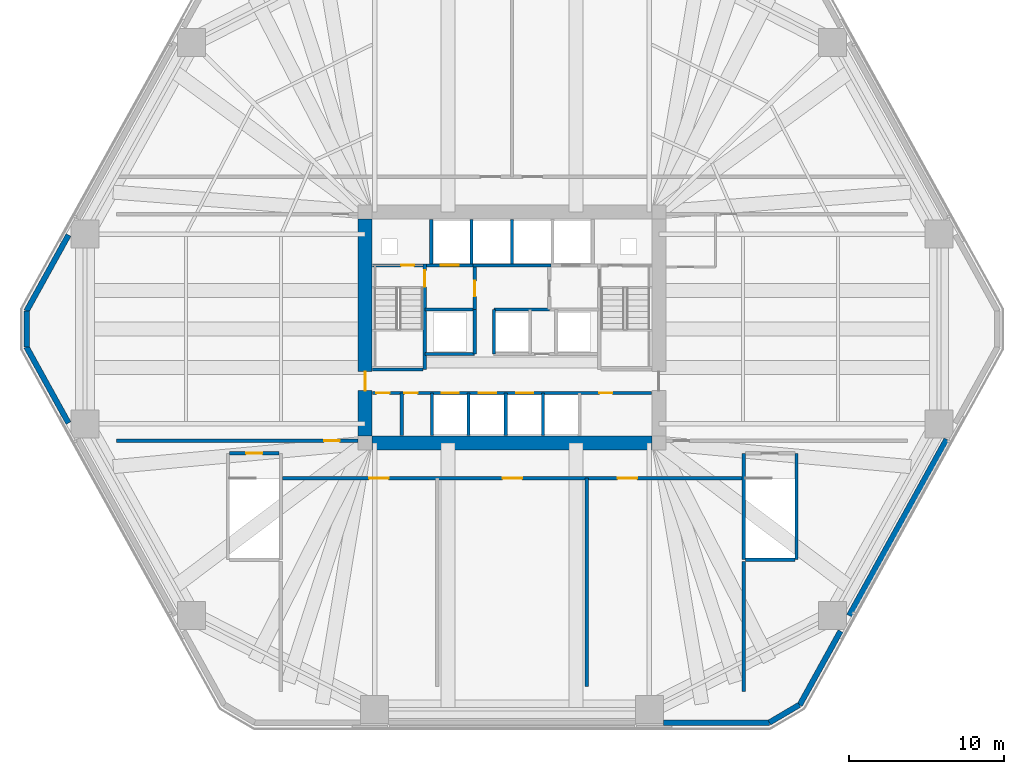
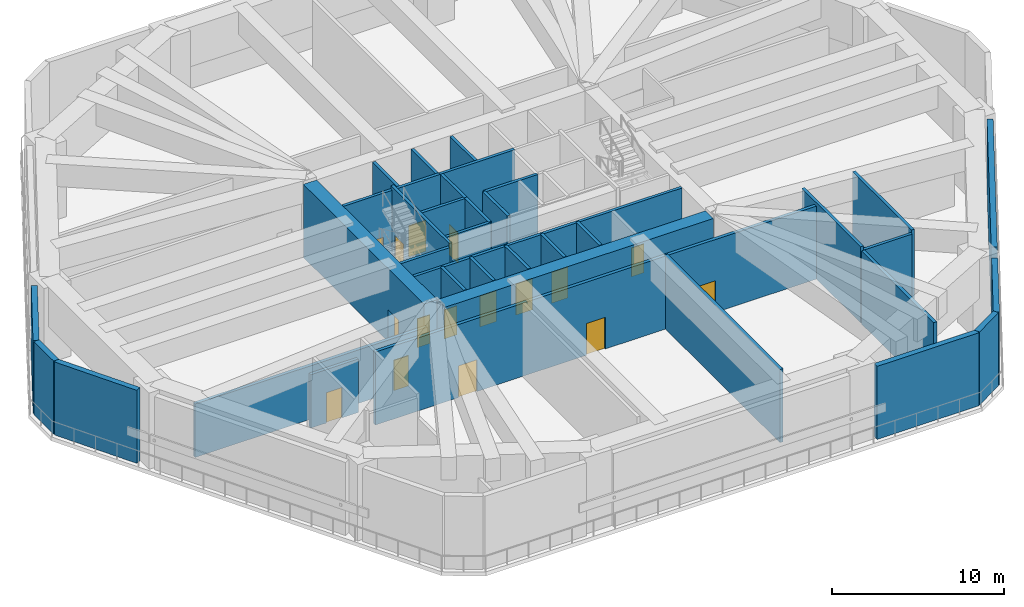
# One storey, part 3 of 12: 37 walls, 16 doors, 16 openings.
"""IFC4 building model written with IfcOpenShell, lengths in metres."""

from ifc_helpers import new_model, si_unit, direction, frame, frame_2d, origin, place, context, subcontext, project, spatial, rectangle, extrude, material, layer, layer_set, type_object, element, fill, save


model = new_model("IFC4")

# Units and contexts
model_context = context("Model", 3, precision=1e-05, world=origin(), true_north=direction((0.0, 1.0)))
body_context = subcontext(model_context, "Body", "Model", "MODEL_VIEW")
ifc_project = project(units=[si_unit("LENGTHUNIT", "METRE"), si_unit("AREAUNIT", "SQUARE_METRE"), si_unit("VOLUMEUNIT", "CUBIC_METRE"), si_unit("PLANEANGLEUNIT", "RADIAN"), si_unit("MASSUNIT", "GRAM", prefix="KILO")], contexts=[model_context])

# Site, building, storey
site_placement = place(None, origin())
site = spatial("IfcSite", under=ifc_project, at=site_placement, CompositionType="ELEMENT")
building_placement = place(site_placement, origin())
building = spatial("IfcBuilding", under=site, at=building_placement, Name="Cinnabar Lancet Tower", CompositionType="ELEMENT")
storey_placement = place(building_placement, frame((0.0, 0.0, 19.5)))
storey = spatial("IfcBuildingStorey", under=building, at=storey_placement, Name="L04", CompositionType="ELEMENT", Elevation=19.5)

# Wall, opening, door
ifc_material_1 = material(Name="Acoustic masonry plant room wall", Category="masonry")
ifc_layer_1 = layer(ifc_material_1, 0.219970703125)
ifc_layer_set_1 = layer_set([ifc_layer_1], Name="Acoustic masonry plant room wall")
wall_type_1 = type_object("IfcWallType", Name="ARC-WL-PLANT-220", PredefinedType="PARTITIONING", material=ifc_layer_set_1)
wall_1_placement = place(storey_placement, frame((6.925048828125, 18.60009765625, 0.0), z_axis=(0.0, 0.0, 1.0), x_axis=(1.0, 0.0, 0.0)))
wall_1 = element("IfcWall", 1, at=wall_1_placement, inside=storey, type_object=wall_type_1, Name="PW-L04-RFWS", PredefinedType="PARTITIONING", context=body_context, shape_type="SweptSolid", body=[
    extrude(rectangle(XDim=15.574951171875, YDim=0.219970703125, at=frame_2d((7.78759765625, 0.0))), origin(), (0.0, 0.0, 1.0), 3.7900390625),
])
opening_1_placement = place(wall_1_placement, frame((13.375, 0.0, 0.0)))
opening_1 = element("IfcOpeningElement", 2, at=opening_1_placement, cuts=wall_1, Name="Opening FD-01", PredefinedType="OPENING", context=body_context, shape_type="SweptSolid", body=[
    extrude(rectangle(XDim=1.0, YDim=2.14990234375, at=frame_2d((0.5, 1.074951171875))), frame((0.0, 0.119873046875, 0.0), z_axis=(0.0, -1.0, 0.0), x_axis=(1.0, 0.0, 0.0)), (0.0, 0.0, 1.0), 0.239990234375),
])
ifc_material_2 = material(Name="Fire-rated timber-core lobby door", Category="wood")
door_type_1 = type_object("IfcDoorType", Name="ARC-DR-FFAL", OperationType="NOTDEFINED", PredefinedType="DOOR", material=ifc_material_2)
door_1_placement = place(opening_1_placement, origin())
door_1 = element("IfcDoor", 3, at=door_1_placement, inside=storey, type_object=door_type_1, Name="L04 Plant Corridor Fire Door RWS", OperationType="SINGLE_SWING_LEFT", OverallHeight=2.14990234375, OverallWidth=1.0, PredefinedType="DOOR", context=body_context, shape_type="SweptSolid", body=[
    extrude(rectangle(XDim=1.0, YDim=2.14990234375, at=frame_2d((0.5, 1.074951171875))), frame((0.0, 0.02490234375, 0.0), z_axis=(0.0, -1.0, 0.0), x_axis=(1.0, 0.0, 0.0)), (0.0, 0.0, 1.0), 0.050048828125),
])
fill(opening_1, door_1)

# Wall, openings, doors
wall_2_placement = place(storey_placement, frame((17.6298828125, 16.199951171875, 0.0), z_axis=(0.0, 0.0, 1.0), x_axis=(1.0, 0.0, 0.0)))
wall_2 = element("IfcWall", 4, at=wall_2_placement, inside=storey, type_object=wall_type_1, Name="PW-L04-SPLS", PredefinedType="PARTITIONING", context=body_context, shape_type="SweptSolid", body=[
    extrude(rectangle(XDim=29.580078125, YDim=0.219970703125, at=frame_2d((14.7900390625, 0.0))), origin(), (0.0, 0.0, 1.0), 5.179931640625),
])
opening_2_placement = place(wall_2_placement, frame((5.570068359375, 0.0, 0.0)))
opening_2 = element("IfcOpeningElement", 5, at=opening_2_placement, cuts=wall_2, Name="Opening PD-01", PredefinedType="OPENING", context=body_context, shape_type="SweptSolid", body=[
    extrude(rectangle(XDim=1.25, YDim=2.25, at=frame_2d((0.625, 1.125))), frame((0.0, 0.119873046875, 0.0), z_axis=(0.0, -1.0, 0.0), x_axis=(1.0, 0.0, 0.0)), (0.0, 0.0, 1.0), 0.239990234375),
])
opening_3_placement = place(wall_2_placement, frame((14.169921875, 0.0, 0.0)))
opening_3 = element("IfcOpeningElement", 6, at=opening_3_placement, cuts=wall_2, Name="Opening PD-01", PredefinedType="OPENING", context=body_context, shape_type="SweptSolid", body=[
    extrude(rectangle(XDim=1.25, YDim=2.25, at=frame_2d((0.625, 1.125))), frame((0.0, 0.119873046875, 0.0), z_axis=(0.0, -1.0, 0.0), x_axis=(1.0, 0.0, 0.0)), (0.0, 0.0, 1.0), 0.239990234375),
])
opening_4_placement = place(wall_2_placement, frame((21.570068359375, 0.0, 0.0)))
opening_4 = element("IfcOpeningElement", 7, at=opening_4_placement, cuts=wall_2, Name="Opening PD-01", PredefinedType="OPENING", context=body_context, shape_type="SweptSolid", body=[
    extrude(rectangle(XDim=1.25, YDim=2.25, at=frame_2d((0.625, 1.125))), frame((0.0, 0.119873046875, 0.0), z_axis=(0.0, -1.0, 0.0), x_axis=(1.0, 0.0, 0.0)), (0.0, 0.0, 1.0), 0.239990234375),
])
ifc_material_3 = material(Name="Louvred fire-rated steel plant room double door", Category="steel")
door_type_2 = type_object("IfcDoorType", Name="ARC-DR-PLANT", OperationType="NOTDEFINED", PredefinedType="DOOR", material=ifc_material_3)
door_2_placement = place(opening_2_placement, origin())
door_2 = element("IfcDoor", 8, at=door_2_placement, inside=storey, type_object=door_type_2, Name="DR-L04-SPL1", OperationType="SINGLE_SWING_LEFT", OverallHeight=2.25, OverallWidth=1.25, PredefinedType="DOOR", context=body_context, shape_type="SweptSolid", body=[
    extrude(rectangle(XDim=1.25, YDim=2.25, at=frame_2d((0.625, 1.125))), frame((0.0, 0.02490234375, 0.0), z_axis=(0.0, -1.0, 0.0), x_axis=(1.0, 0.0, 0.0)), (0.0, 0.0, 1.0), 0.050048828125),
])
fill(opening_2, door_2)
door_3_placement = place(opening_3_placement, origin())
door_3 = element("IfcDoor", 9, at=door_3_placement, inside=storey, type_object=door_type_2, Name="DR-L04-SPL2", OperationType="SINGLE_SWING_LEFT", OverallHeight=2.25, OverallWidth=1.25, PredefinedType="DOOR", context=body_context, shape_type="SweptSolid", body=[
    extrude(rectangle(XDim=1.25, YDim=2.25, at=frame_2d((0.625, 1.125))), frame((0.0, 0.02490234375, 0.0), z_axis=(0.0, -1.0, 0.0), x_axis=(1.0, 0.0, 0.0)), (0.0, 0.0, 1.0), 0.050048828125),
])
fill(opening_3, door_3)
door_4_placement = place(opening_4_placement, origin())
door_4 = element("IfcDoor", 10, at=door_4_placement, inside=storey, type_object=door_type_2, Name="DR-L04-SPL3", OperationType="SINGLE_SWING_LEFT", OverallHeight=2.25, OverallWidth=1.25, PredefinedType="DOOR", context=body_context, shape_type="SweptSolid", body=[
    extrude(rectangle(XDim=1.25, YDim=2.25, at=frame_2d((0.625, 1.125))), frame((0.0, 0.02490234375, 0.0), z_axis=(0.0, -1.0, 0.0), x_axis=(1.0, 0.0, 0.0)), (0.0, 0.0, 1.0), 0.050048828125),
])
fill(opening_4, door_4)

# Walls
wall_3_placement = place(storey_placement, frame((47.320068359375, 2.449951171875, 0.0), z_axis=(0.0, 0.0, 1.0), x_axis=(0.0, 1.0, 0.0)))
element("IfcWall", 11, at=wall_3_placement, inside=storey, type_object=wall_type_1, Name="PW-L04-SPLE", PredefinedType="PARTITIONING", context=body_context, shape_type="SweptSolid", body=[
    extrude(rectangle(XDim=8.39501953125, YDim=0.219970703125, at=frame_2d((4.197509765625, 0.0))), origin(), (0.0, 0.0, 1.0), 5.179931640625),
])
wall_4_placement = place(storey_placement, frame((37.199951171875, 2.800048828125, 0.0), z_axis=(0.0, 0.0, 1.0), x_axis=(0.0, 1.0, 0.0)))
element("IfcWall", 12, at=wall_4_placement, inside=storey, type_object=wall_type_1, Name="PW-L04-SDIV-37", PredefinedType="PARTITIONING", context=body_context, shape_type="SweptSolid", body=[
    extrude(rectangle(XDim=13.39990234375, YDim=0.219970703125, at=frame_2d((6.699951171875, 0.0))), origin(), (0.0, 0.0, 1.0), 5.179931640625),
])
ifc_material_4 = material(Name="Autoclaved aerated concrete blockwork", Category="masonry")
ifc_layer_2 = layer(ifc_material_4, 0.199951171875)
ifc_layer_set_2 = layer_set([ifc_layer_2], Name="Autoclaved aerated concrete blockwork")
wall_type_2 = type_object("IfcWallType", Name="ARC-WL-SHAFT-200", PredefinedType="PLUMBINGWALL", material=ifc_layer_set_2)
wall_5_placement = place(storey_placement, frame((23.405029296875, 23.199951171875, 0.0), z_axis=(0.0, 0.0, 1.0), x_axis=(1.0, 0.0, 0.0)))
element("IfcWall", 13, at=wall_5_placement, inside=storey, type_object=wall_type_2, Name="CW-ST1S-L04", PredefinedType="PLUMBINGWALL", context=body_context, shape_type="SweptSolid", body=[
    extrude(rectangle(XDim=3.27001953125, YDim=0.199951171875, at=frame_2d((1.635009765625, 0.0))), origin(), (0.0, 0.0, 1.0), 5.179931640625),
])

# Wall, opening, door
wall_6_placement = place(storey_placement, frame((23.405029296875, 29.89990234375, 0.0), z_axis=(0.0, 0.0, 1.0), x_axis=(1.0, 0.0, 0.0)))
wall_6 = element("IfcWall", 14, at=wall_6_placement, inside=storey, type_object=wall_type_2, Name="CW-NSH-W-L04", PredefinedType="PLUMBINGWALL", context=body_context, shape_type="SweptSolid", body=[
    extrude(rectangle(XDim=3.27001953125, YDim=0.199951171875, at=frame_2d((1.635009765625, 0.0))), origin(), (0.0, 0.0, 1.0), 5.179931640625),
])
opening_5_placement = place(wall_6_placement, frame((1.85009765625, 0.0, 0.0)))
opening_5 = element("IfcOpeningElement", 15, at=opening_5_placement, cuts=wall_6, Name="Opening PD-02", PredefinedType="OPENING", context=body_context, shape_type="SweptSolid", body=[
    extrude(rectangle(XDim=0.85009765625, YDim=2.050048828125, at=frame_2d((0.425048828125, 1.02490234375))), frame((0.0, 0.10986328125, 0.0), z_axis=(0.0, -1.0, 0.0), x_axis=(1.0, 0.0, 0.0)), (0.0, 0.0, 1.0), 0.219970703125),
])
ifc_material_5 = material(Name="Fire-rated steel riser access door", Category="steel")
door_type_3 = type_object("IfcDoorType", Name="ARC-DR-RISER", OperationType="NOTDEFINED", PredefinedType="DOOR", material=ifc_material_5)
door_5_placement = place(opening_5_placement, origin())
door_5 = element("IfcDoor", 16, at=door_5_placement, inside=storey, type_object=door_type_3, Name="L04 West Riser Access Door", OperationType="SINGLE_SWING_LEFT", OverallHeight=2.050048828125, OverallWidth=0.85009765625, PredefinedType="DOOR", context=body_context, shape_type="SweptSolid", body=[
    extrude(rectangle(XDim=0.85009765625, YDim=2.050048828125, at=frame_2d((0.425048828125, 1.02490234375))), frame((0.0, 0.02490234375, 0.0), z_axis=(0.0, -1.0, 0.0), x_axis=(1.0, 0.0, 0.0)), (0.0, 0.0, 1.0), 0.050048828125),
])
fill(opening_5, door_5)

wall_7_placement = place(storey_placement, frame((26.885009765625, 29.89990234375, 0.0), z_axis=(0.0, 0.0, 1.0), x_axis=(1.0, 0.0, 0.0)))
wall_7 = element("IfcWall", 17, at=wall_7_placement, inside=storey, type_object=wall_type_2, Name="CW-FL1-L04", PredefinedType="PLUMBINGWALL", context=body_context, shape_type="SweptSolid", body=[
    extrude(rectangle(XDim=3.014892578125, YDim=0.199951171875, at=frame_2d((1.50732421875, 0.0))), origin(), (0.0, 0.0, 1.0), 5.179931640625),
])
opening_6_placement = place(wall_7_placement, frame((0.93994140625, 0.0, 0.0)))
opening_6 = element("IfcOpeningElement", 18, at=opening_6_placement, cuts=wall_7, Name="Opening LD-02", PredefinedType="OPENING", context=body_context, shape_type="SweptSolid", body=[
    extrude(rectangle(XDim=1.14990234375, YDim=2.199951171875, at=frame_2d((0.574951171875, 1.10009765625))), frame((0.0, 0.10986328125, 0.0), z_axis=(0.0, -1.0, 0.0), x_axis=(1.0, 0.0, 0.0)), (0.0, 0.0, 1.0), 0.219970703125),
])
ifc_material_6 = material(Name="Fire-rated stainless steel firefighting lift landing door", Category="steel")
door_type_4 = type_object("IfcDoorType", Name="ARC-DR-LD-FIRE", OperationType="NOTDEFINED", PredefinedType="DOOR", material=ifc_material_6)
door_6_placement = place(opening_6_placement, origin())
door_6 = element("IfcDoor", 19, at=door_6_placement, inside=storey, type_object=door_type_4, Name="L04 Firefighting Lift FL-1 Landing Door", OperationType="DOUBLE_DOOR_SLIDING", OverallHeight=2.199951171875, OverallWidth=1.14990234375, PredefinedType="DOOR", context=body_context, shape_type="SweptSolid", body=[
    extrude(rectangle(XDim=1.14990234375, YDim=2.199951171875, at=frame_2d((0.574951171875, 1.10009765625))), frame((0.0, 0.02490234375, 0.0), z_axis=(0.0, -1.0, 0.0), x_axis=(1.0, 0.0, 0.0)), (0.0, 0.0, 1.0), 0.050048828125),
])
fill(opening_6, door_6)

# Walls
wall_8_placement = place(storey_placement, frame((29.89990234375, 29.89990234375, 0.0), z_axis=(0.0, 0.0, 1.0), x_axis=(1.0, 0.0, 0.0)))
element("IfcWall", 20, at=wall_8_placement, inside=storey, type_object=wall_type_2, Name="CW-PL78-L04", PredefinedType="PLUMBINGWALL", context=body_context, shape_type="SweptSolid", body=[
    extrude(rectangle(XDim=5.0, YDim=0.199951171875, at=frame_2d((2.5, 0.0))), origin(), (0.0, 0.0, 1.0), 5.179931640625),
])
for number, where, z_axis, x_axis, name in (
    (21, (27.199951171875, 30.0, 0.0), (0.0, 0.0, 1.0), (0.0, 1.0, 0.0), "CW-NSH-D1-L04"),
    (22, (29.800048828125, 30.0, 0.0), (0.0, 0.0, 1.0), (0.0, 1.0, 0.0), "CW-NSH-D2-L04"),
    (23, (32.39990234375, 30.0, 0.0), (0.0, 0.0, 1.0), (0.0, 1.0, 0.0), "CW-NSH-D3-L04"),
):
    element("IfcWall", number, at=place(storey_placement, frame(where, z_axis=z_axis, x_axis=x_axis)), inside=storey, type_object=wall_type_2, Name=name, PredefinedType="PLUMBINGWALL", context=body_context, shape_type="SweptSolid", body=[
        extrude(rectangle(XDim=2.85009765625, YDim=0.199951171875, at=frame_2d((1.425048828125, 0.0))), origin(), (0.0, 0.0, 1.0), 5.179931640625),
    ])

# Wall, opening, door
wall_9_placement = place(storey_placement, frame((30.0, 27.050048828125, 0.0), z_axis=(0.0, 0.0, 1.0), x_axis=(0.0, 1.0, 0.0)))
wall_9 = element("IfcWall", 24, at=wall_9_placement, inside=storey, type_object=wall_type_2, Name="CW-FF1E-L04", PredefinedType="PLUMBINGWALL", context=body_context, shape_type="SweptSolid", body=[
    extrude(rectangle(XDim=2.75, YDim=0.199951171875, at=frame_2d((1.375, 0.0))), origin(), (0.0, 0.0, 1.0), 5.179931640625),
])
opening_7_placement = place(wall_9_placement, frame((0.85009765625, 0.0, 0.0)))
opening_7 = element("IfcOpeningElement", 25, at=opening_7_placement, cuts=wall_9, Name="Opening FD-01", PredefinedType="OPENING", context=body_context, shape_type="SweptSolid", body=[
    extrude(rectangle(XDim=1.0, YDim=2.14990234375, at=frame_2d((0.5, 1.074951171875))), frame((0.0, 0.10986328125, 0.0), z_axis=(0.0, -1.0, 0.0), x_axis=(1.0, 0.0, 0.0)), (0.0, 0.0, 1.0), 0.219970703125),
])
door_7_placement = place(opening_7_placement, origin())
door_7 = element("IfcDoor", 26, at=door_7_placement, inside=storey, type_object=door_type_1, Name="L04 FFAL-1 Lobby Fire Door", OperationType="SINGLE_SWING_RIGHT", OverallHeight=2.14990234375, OverallWidth=1.0, PredefinedType="DOOR", context=body_context, shape_type="SweptSolid", body=[
    extrude(rectangle(XDim=1.0, YDim=2.14990234375, at=frame_2d((0.5, 1.074951171875))), frame((0.0, 0.02490234375, 0.0), z_axis=(0.0, -1.0, 0.0), x_axis=(1.0, 0.0, 0.0)), (0.0, 0.0, 1.0), 0.050048828125),
])
fill(opening_7, door_7)

# Walls
for number, where, z_axis, x_axis, name in (
    (27, (26.800048828125, 27.050048828125, 0.0), (0.0, 0.0, 1.0), (1.0, 0.0, 0.0), "CW-FF1S-L04"),
    (28, (26.800048828125, 24.199951171875, 0.0), (0.0, 0.0, 1.0), (1.0, 0.0, 0.0), "CW-PL5S-L04"),
):
    element("IfcWall", number, at=place(storey_placement, frame(where, z_axis=z_axis, x_axis=x_axis)), inside=storey, type_object=wall_type_2, Name=name, PredefinedType="PLUMBINGWALL", context=body_context, shape_type="SweptSolid", body=[
        extrude(rectangle(XDim=3.199951171875, YDim=0.199951171875, at=frame_2d((1.60009765625, 0.0))), origin(), (0.0, 0.0, 1.0), 5.179931640625),
    ])
for number, where, z_axis, x_axis, name in (
    (29, (30.0, 24.199951171875, 0.0), (0.0, 0.0, 1.0), (0.0, 1.0, 0.0), "CW-PL5E-L04"),
    (30, (31.25, 24.199951171875, 0.0), (0.0, 0.0, 1.0), (0.0, 1.0, 0.0), "CW-PL9W-L04"),
):
    element("IfcWall", number, at=place(storey_placement, frame(where, z_axis=z_axis, x_axis=x_axis)), inside=storey, type_object=wall_type_2, Name=name, PredefinedType="PLUMBINGWALL", context=body_context, shape_type="SweptSolid", body=[
        extrude(rectangle(XDim=2.85009765625, YDim=0.199951171875, at=frame_2d((1.425048828125, 0.0))), origin(), (0.0, 0.0, 1.0), 5.179931640625),
    ])
wall_10_placement = place(storey_placement, frame((31.25, 27.050048828125, 0.0), z_axis=(0.0, 0.0, 1.0), x_axis=(1.0, 0.0, 0.0)))
element("IfcWall", 31, at=wall_10_placement, inside=storey, type_object=wall_type_2, Name="CW-PL96N-L04", PredefinedType="PLUMBINGWALL", context=body_context, shape_type="SweptSolid", body=[
    extrude(rectangle(XDim=3.550048828125, YDim=0.199951171875, at=frame_2d((1.77490234375, 0.0))), origin(), (0.0, 0.0, 1.0), 5.179931640625),
])

# Wall, openings, doors
wall_11_placement = place(storey_placement, frame((23.419921875, 21.679931640625, 0.0), z_axis=(0.0, 0.0, 1.0), x_axis=(1.0, 0.0, 0.0)))
wall_11 = element("IfcWall", 32, at=wall_11_placement, inside=storey, type_object=wall_type_2, Name="CW-SBANDN-L04", PredefinedType="PLUMBINGWALL", context=body_context, shape_type="SweptSolid", body=[
    extrude(rectangle(XDim=17.9599609375, YDim=0.199951171875, at=frame_2d((8.97998046875, 0.0))), origin(), (0.0, 0.0, 1.0), 5.179931640625),
])
opening_8_placement = place(wall_11_placement, frame((4.449951171875, 0.0, 0.0)))
opening_8 = element("IfcOpeningElement", 33, at=opening_8_placement, cuts=wall_11, Name="Opening LD-01", PredefinedType="OPENING", context=body_context, shape_type="SweptSolid", body=[
    extrude(rectangle(XDim=1.10009765625, YDim=2.199951171875, at=frame_2d((0.550048828125, 1.10009765625))), frame((0.0, 0.10986328125, 0.0), z_axis=(0.0, -1.0, 0.0), x_axis=(1.0, 0.0, 0.0)), (0.0, 0.0, 1.0), 0.219970703125),
])
opening_9_placement = place(wall_11_placement, frame((6.85009765625, 0.0, 0.0)))
opening_9 = element("IfcOpeningElement", 34, at=opening_9_placement, cuts=wall_11, Name="Opening LD-01", PredefinedType="OPENING", context=body_context, shape_type="SweptSolid", body=[
    extrude(rectangle(XDim=1.10009765625, YDim=2.199951171875, at=frame_2d((0.550048828125, 1.10009765625))), frame((0.0, 0.10986328125, 0.0), z_axis=(0.0, -1.0, 0.0), x_axis=(1.0, 0.0, 0.0)), (0.0, 0.0, 1.0), 0.219970703125),
])
opening_10_placement = place(wall_11_placement, frame((9.25, 0.0, 0.0)))
opening_10 = element("IfcOpeningElement", 35, at=opening_10_placement, cuts=wall_11, Name="Opening LD-01", PredefinedType="OPENING", context=body_context, shape_type="SweptSolid", body=[
    extrude(rectangle(XDim=1.10009765625, YDim=2.199951171875, at=frame_2d((0.550048828125, 1.10009765625))), frame((0.0, 0.10986328125, 0.0), z_axis=(0.0, -1.0, 0.0), x_axis=(1.0, 0.0, 0.0)), (0.0, 0.0, 1.0), 0.219970703125),
])
opening_11_placement = place(wall_11_placement, frame((0.25, 0.0, 0.0)))
opening_11 = element("IfcOpeningElement", 36, at=opening_11_placement, cuts=wall_11, Name="Opening PD-02", PredefinedType="OPENING", context=body_context, shape_type="SweptSolid", body=[
    extrude(rectangle(XDim=0.85009765625, YDim=2.050048828125, at=frame_2d((0.425048828125, 1.02490234375))), frame((0.0, 0.10986328125, 0.0), z_axis=(0.0, -1.0, 0.0), x_axis=(1.0, 0.0, 0.0)), (0.0, 0.0, 1.0), 0.219970703125),
])
opening_12_placement = place(wall_11_placement, frame((2.050048828125, 0.0, 0.0)))
opening_12 = element("IfcOpeningElement", 37, at=opening_12_placement, cuts=wall_11, Name="Opening PD-02", PredefinedType="OPENING", context=body_context, shape_type="SweptSolid", body=[
    extrude(rectangle(XDim=0.85009765625, YDim=2.050048828125, at=frame_2d((0.425048828125, 1.02490234375))), frame((0.0, 0.10986328125, 0.0), z_axis=(0.0, -1.0, 0.0), x_axis=(1.0, 0.0, 0.0)), (0.0, 0.0, 1.0), 0.219970703125),
])
opening_13_placement = place(wall_11_placement, frame((14.60009765625, 0.0, 0.0)))
opening_13 = element("IfcOpeningElement", 38, at=opening_13_placement, cuts=wall_11, Name="Opening PD-02", PredefinedType="OPENING", context=body_context, shape_type="SweptSolid", body=[
    extrude(rectangle(XDim=0.85009765625, YDim=2.050048828125, at=frame_2d((0.425048828125, 1.02490234375))), frame((0.0, 0.10986328125, 0.0), z_axis=(0.0, -1.0, 0.0), x_axis=(1.0, 0.0, 0.0)), (0.0, 0.0, 1.0), 0.219970703125),
])
ifc_material_7 = material(Name="Brushed stainless steel sliding lift door", Category="steel")
door_type_5 = type_object("IfcDoorType", Name="ARC-DR-LD-PASS", OperationType="NOTDEFINED", PredefinedType="DOOR", material=ifc_material_7)
door_8_placement = place(opening_8_placement, origin())
door_8 = element("IfcDoor", 39, at=door_8_placement, inside=storey, type_object=door_type_5, Name="L04 Lift PL-1 Landing Door", OperationType="DOUBLE_DOOR_SLIDING", OverallHeight=2.199951171875, OverallWidth=1.10009765625, PredefinedType="DOOR", context=body_context, shape_type="SweptSolid", body=[
    extrude(rectangle(XDim=1.10009765625, YDim=2.199951171875, at=frame_2d((0.550048828125, 1.10009765625))), frame((0.0, 0.02490234375, 0.0), z_axis=(0.0, -1.0, 0.0), x_axis=(1.0, 0.0, 0.0)), (0.0, 0.0, 1.0), 0.050048828125),
])
fill(opening_8, door_8)
door_9_placement = place(opening_9_placement, origin())
door_9 = element("IfcDoor", 40, at=door_9_placement, inside=storey, type_object=door_type_5, Name="L04 Lift PL-2 Landing Door", OperationType="DOUBLE_DOOR_SLIDING", OverallHeight=2.199951171875, OverallWidth=1.10009765625, PredefinedType="DOOR", context=body_context, shape_type="SweptSolid", body=[
    extrude(rectangle(XDim=1.10009765625, YDim=2.199951171875, at=frame_2d((0.550048828125, 1.10009765625))), frame((0.0, 0.02490234375, 0.0), z_axis=(0.0, -1.0, 0.0), x_axis=(1.0, 0.0, 0.0)), (0.0, 0.0, 1.0), 0.050048828125),
])
fill(opening_9, door_9)
door_10_placement = place(opening_10_placement, origin())
door_10 = element("IfcDoor", 41, at=door_10_placement, inside=storey, type_object=door_type_5, Name="L04 Lift PL-3 Landing Door", OperationType="DOUBLE_DOOR_SLIDING", OverallHeight=2.199951171875, OverallWidth=1.10009765625, PredefinedType="DOOR", context=body_context, shape_type="SweptSolid", body=[
    extrude(rectangle(XDim=1.10009765625, YDim=2.199951171875, at=frame_2d((0.550048828125, 1.10009765625))), frame((0.0, 0.02490234375, 0.0), z_axis=(0.0, -1.0, 0.0), x_axis=(1.0, 0.0, 0.0)), (0.0, 0.0, 1.0), 0.050048828125),
])
fill(opening_10, door_10)
door_11_placement = place(opening_11_placement, origin())
door_11 = element("IfcDoor", 42, at=door_11_placement, inside=storey, type_object=door_type_3, Name="DR-L04-SW1", OperationType="SINGLE_SWING_LEFT", OverallHeight=2.050048828125, OverallWidth=0.85009765625, PredefinedType="DOOR", context=body_context, shape_type="SweptSolid", body=[
    extrude(rectangle(XDim=0.85009765625, YDim=2.050048828125, at=frame_2d((0.425048828125, 1.02490234375))), frame((0.0, 0.02490234375, 0.0), z_axis=(0.0, -1.0, 0.0), x_axis=(1.0, 0.0, 0.0)), (0.0, 0.0, 1.0), 0.050048828125),
])
fill(opening_11, door_11)
door_12_placement = place(opening_12_placement, origin())
door_12 = element("IfcDoor", 43, at=door_12_placement, inside=storey, type_object=door_type_3, Name="DR-L04-SW2", OperationType="SINGLE_SWING_RIGHT", OverallHeight=2.050048828125, OverallWidth=0.85009765625, PredefinedType="DOOR", context=body_context, shape_type="SweptSolid", body=[
    extrude(rectangle(XDim=0.85009765625, YDim=2.050048828125, at=frame_2d((0.425048828125, 1.02490234375))), frame((0.0, 0.02490234375, 0.0), z_axis=(0.0, -1.0, 0.0), x_axis=(1.0, 0.0, 0.0)), (0.0, 0.0, 1.0), 0.050048828125),
])
fill(opening_12, door_12)
door_13_placement = place(opening_13_placement, origin())
door_13 = element("IfcDoor", 44, at=door_13_placement, inside=storey, type_object=door_type_3, Name="DR-L04-SE1", OperationType="SINGLE_SWING_LEFT", OverallHeight=2.050048828125, OverallWidth=0.85009765625, PredefinedType="DOOR", context=body_context, shape_type="SweptSolid", body=[
    extrude(rectangle(XDim=0.85009765625, YDim=2.050048828125, at=frame_2d((0.425048828125, 1.02490234375))), frame((0.0, 0.02490234375, 0.0), z_axis=(0.0, -1.0, 0.0), x_axis=(1.0, 0.0, 0.0)), (0.0, 0.0, 1.0), 0.050048828125),
])
fill(opening_13, door_13)

# Walls
for number, where, z_axis, x_axis, name in (
    (45, (27.25, 18.949951171875, 0.0), (0.0, 0.0, 1.0), (0.0, 1.0, 0.0), "CW-SB-2725-L04"),
    (46, (29.60009765625, 18.949951171875, 0.0), (0.0, 0.0, 1.0), (0.0, 1.0, 0.0), "CW-SB-2960-L04"),
    (47, (32.0, 18.949951171875, 0.0), (0.0, 0.0, 1.0), (0.0, 1.0, 0.0), "CW-SB-3200-L04"),
    (48, (34.39990234375, 18.949951171875, 0.0), (0.0, 0.0, 1.0), (0.0, 1.0, 0.0), "CW-SB-3440-L04"),
    (49, (25.300048828125, 18.949951171875, 0.0), (0.0, 0.0, 1.0), (0.0, 1.0, 0.0), "CW-SB-SW-L04"),
):
    element("IfcWall", number, at=place(storey_placement, frame(where, z_axis=z_axis, x_axis=x_axis)), inside=storey, type_object=wall_type_2, Name=name, PredefinedType="PLUMBINGWALL", context=body_context, shape_type="SweptSolid", body=[
        extrude(rectangle(XDim=2.72998046875, YDim=0.199951171875, at=frame_2d((1.364990234375, 0.0))), origin(), (0.0, 0.0, 1.0), 5.179931640625),
    ])

# Wall, opening, door
wall_12_placement = place(storey_placement, frame((14.22509765625, 17.800048828125, 0.0), z_axis=(0.0, 0.0, 1.0), x_axis=(1.0, 0.0, 0.0)))
wall_12 = element("IfcWall", 50, at=wall_12_placement, inside=storey, type_object=wall_type_2, Name="PW-ST3N-L04", PredefinedType="PLUMBINGWALL", context=body_context, shape_type="SweptSolid", body=[
    extrude(rectangle(XDim=3.18994140625, YDim=0.199951171875, at=frame_2d((1.594970703125, 0.0))), origin(), (0.0, 0.0, 1.0), 3.7900390625),
])
opening_14_placement = place(wall_12_placement, frame((1.050048828125, 0.0, 0.0)))
opening_14 = element("IfcOpeningElement", 51, at=opening_14_placement, cuts=wall_12, Name="Opening SD-01", PredefinedType="OPENING", context=body_context, shape_type="SweptSolid", body=[
    extrude(rectangle(XDim=1.050048828125, YDim=2.14990234375, at=frame_2d((0.52490234375, 1.074951171875))), frame((0.0, 0.10986328125, 0.0), z_axis=(0.0, -1.0, 0.0), x_axis=(1.0, 0.0, 0.0)), (0.0, 0.0, 1.0), 0.219970703125),
])
ifc_material_8 = material(Name="Fire-rated steel stair exit door", Category="steel")
door_type_6 = type_object("IfcDoorType", Name="ARC-DR-STAIR", OperationType="NOTDEFINED", PredefinedType="DOOR", material=ifc_material_8)
door_14_placement = place(opening_14_placement, origin())
door_14 = element("IfcDoor", 52, at=door_14_placement, inside=storey, type_object=door_type_6, Name="L04 Podium Stair ST-3 Fire Door", OperationType="SINGLE_SWING_LEFT", OverallHeight=2.14990234375, OverallWidth=1.050048828125, PredefinedType="DOOR", context=body_context, shape_type="SweptSolid", body=[
    extrude(rectangle(XDim=1.050048828125, YDim=2.14990234375, at=frame_2d((0.52490234375, 1.074951171875))), frame((0.0, 0.02490234375, 0.0), z_axis=(0.0, -1.0, 0.0), x_axis=(1.0, 0.0, 0.0)), (0.0, 0.0, 1.0), 0.050048828125),
])
fill(opening_14, door_14)

# Walls
wall_13_placement = place(storey_placement, frame((47.425048828125, 10.949951171875, 0.0), z_axis=(0.0, 0.0, 1.0), x_axis=(1.0, 0.0, 0.0)))
element("IfcWall", 53, at=wall_13_placement, inside=storey, type_object=wall_type_2, Name="PW-ST4S-L04", PredefinedType="PLUMBINGWALL", context=body_context, shape_type="SweptSolid", body=[
    extrude(rectangle(XDim=3.18994140625, YDim=0.199951171875, at=frame_2d((1.594970703125, 0.0))), origin(), (0.0, 0.0, 1.0), 5.179931640625),
])
ifc_material_9 = material(Name="Dark charcoal engineering brick", Category="masonry")
ifc_layer_3 = layer(ifc_material_9, 0.360107421875)
ifc_layer_set_3 = layer_set([ifc_layer_3], Name="Dark charcoal engineering brick")
wall_type_3 = type_object("IfcWallType", Name="ENV-WL-BRK-CHR-360", PredefinedType="STANDARD", material=ifc_layer_set_3)
wall_14_placement = place(storey_placement, frame((48.968017578125, 0.466064453125, 0.0), z_axis=(0.0, 0.0, 1.0), x_axis=(0.861219188779, 0.50823371482, 0.0)))
element("IfcWall", 54, at=wall_14_placement, inside=storey, type_object=wall_type_3, Name="L04 Chamfered Corner Brick Pier 2.1", PredefinedType="STANDARD", context=body_context, shape_type="SweptSolid", body=[
    extrude(rectangle(XDim=2.240966796875, YDim=0.360107421875, at=frame_2d((1.12060546875, 0.0))), origin(), (0.0, 0.0, 1.0), 5.179931640625),
])
wall_15_placement = place(storey_placement, frame((1.1650390625, 26.948974609375, 0.0), z_axis=(0.0, 0.0, 1.0), x_axis=(0.0, -1.0, 0.0)))
element("IfcWall", 55, at=wall_15_placement, inside=storey, type_object=wall_type_3, Name="L04 Chamfered Corner Brick Pier 6.1", PredefinedType="STANDARD", context=body_context, shape_type="SweptSolid", body=[
    extrude(rectangle(XDim=2.298095703125, YDim=0.360107421875, at=frame_2d((1.14892578125, 0.0))), origin(), (0.0, 0.0, 1.0), 5.179931640625),
])
wall_16_placement = place(storey_placement, frame((42.14892578125, 0.43994140625, 0.0), z_axis=(0.0, 0.0, 1.0), x_axis=(1.0, 0.0, 0.0)))
element("IfcWall", 56, at=wall_16_placement, inside=storey, type_object=wall_type_3, Name="L04 Face 1 Masonry Bay Wall 3", PredefinedType="STANDARD", context=body_context, shape_type="SweptSolid", body=[
    extrude(rectangle(XDim=6.823974609375, YDim=0.360107421875, at=frame_2d((3.412109375, 0.0))), origin(), (0.0, 0.0, 1.0), 5.179931640625),
])
wall_17_placement = place(storey_placement, frame((50.91796875, 1.587890625, 0.0), z_axis=(0.0, 0.0, 1.0), x_axis=(0.483642718265, 0.875265514612, 0.0)))
element("IfcWall", 57, at=wall_17_placement, inside=storey, type_object=wall_type_3, Name="L04 Face 2 Masonry Bay Wall 1", PredefinedType="STANDARD", context=body_context, shape_type="SweptSolid", body=[
    extrude(rectangle(XDim=5.4443359375, YDim=0.360107421875, at=frame_2d((2.72216796875, 0.0))), origin(), (0.0, 0.0, 1.0), 5.179931640625),
])
wall_18_placement = place(storey_placement, frame((54.10400390625, 7.35205078125, 0.0), z_axis=(0.0, 0.0, 1.0), x_axis=(0.483641700598, 0.87526607694, 0.0)))
element("IfcWall", 58, at=wall_18_placement, inside=storey, type_object=wall_type_3, Name="L04 Face 2 Masonry Bay Wall 2", PredefinedType="STANDARD", context=body_context, shape_type="SweptSolid", body=[
    extrude(rectangle(XDim=12.96630859375, YDim=0.360107421875, at=frame_2d((6.483154296875, 0.0))), origin(), (0.0, 0.0, 1.0), 5.179931640625),
])
wall_19_placement = place(storey_placement, frame((3.847900390625, 31.85595703125, 0.0), z_axis=(0.0, 0.0, 1.0), x_axis=(-0.483615762634, -0.875280408859, 0.0)))
element("IfcWall", 59, at=wall_19_placement, inside=storey, type_object=wall_type_3, Name="L04 Face 5 Masonry Bay Wall 3", PredefinedType="STANDARD", context=body_context, shape_type="SweptSolid", body=[
    extrude(rectangle(XDim=5.596923828125, YDim=0.360107421875, at=frame_2d((2.79833984375, 0.0))), origin(), (0.0, 0.0, 1.0), 5.179931640625),
])
wall_20_placement = place(storey_placement, frame((1.14111328125, 24.64306640625, 0.0), z_axis=(0.0, 0.0, 1.0), x_axis=(0.48359729888, -0.875290610321, 0.0)))
element("IfcWall", 60, at=wall_20_placement, inside=storey, type_object=wall_type_3, Name="L04 Face 6 Masonry Bay Wall 1", PredefinedType="STANDARD", context=body_context, shape_type="SweptSolid", body=[
    extrude(rectangle(XDim=5.59716796875, YDim=0.360107421875, at=frame_2d((2.798583984375, 0.0))), origin(), (0.0, 0.0, 1.0), 5.179931640625),
])
ifc_material_10 = material(Name="Concrete C80/95", Category="concrete")
ifc_layer_4 = layer(ifc_material_10, 0.89990234375)
ifc_layer_set_4 = layer_set([ifc_layer_4], Name="Concrete C80/95")
wall_type_4 = type_object("IfcWallType", Name="STR-WL-CORE-900", PredefinedType="SHEAR", material=ifc_layer_set_4)
wall_21_placement = place(storey_placement, frame((23.39990234375, 18.449951171875, 0.0), z_axis=(0.0, 0.0, 1.0), x_axis=(1.0, 0.0, 0.0)))
element("IfcWall", 61, at=wall_21_placement, inside=storey, type_object=wall_type_4, Name="L04 Core Shear Wall S", PredefinedType="SHEAR", context=body_context, shape_type="SweptSolid", body=[
    extrude(rectangle(XDim=18.0, YDim=0.89990234375, at=frame_2d((9.0, 0.0))), origin(), (0.0, 0.0, 1.0), 5.179931640625),
])

# Wall, opening, door
wall_22_placement = place(storey_placement, frame((22.949951171875, 18.89990234375, 0.0), z_axis=(0.0, 0.0, 1.0), x_axis=(0.0, 1.0, 0.0)))
wall_22 = element("IfcWall", 62, at=wall_22_placement, inside=storey, type_object=wall_type_4, Name="L04 Core Shear Wall W", PredefinedType="SHEAR", context=body_context, shape_type="SweptSolid", body=[
    extrude(rectangle(XDim=14.0, YDim=0.89990234375, at=frame_2d((7.0, 0.0))), origin(), (0.0, 0.0, 1.0), 5.179931640625),
])
opening_15_placement = place(wall_22_placement, frame((2.93994140625, 0.0, 0.0)))
opening_15 = element("IfcOpeningElement", 63, at=opening_15_placement, cuts=wall_22, Name="Opening FD-02", PredefinedType="OPENING", context=body_context, shape_type="SweptSolid", body=[
    extrude(rectangle(XDim=1.219970703125, YDim=2.25, at=frame_2d((0.60986328125, 1.125))), frame((0.0, 0.4599609375, 0.0), z_axis=(0.0, -1.0, 0.0), x_axis=(1.0, 0.0, 0.0)), (0.0, 0.0, 1.0), 0.919921875),
])
ifc_material_11 = material(Name="Fire-rated double-vision core portal door", Category="wood")
door_type_7 = type_object("IfcDoorType", Name="ARC-DR-CPORT", OperationType="NOTDEFINED", PredefinedType="DOOR", material=ifc_material_11)
door_15_placement = place(opening_15_placement, origin())
door_15 = element("IfcDoor", 64, at=door_15_placement, inside=storey, type_object=door_type_7, Name="L04 West Core Lobby Fire Door", OperationType="SINGLE_SWING_RIGHT", OverallHeight=2.25, OverallWidth=1.219970703125, PredefinedType="DOOR", context=body_context, shape_type="SweptSolid", body=[
    extrude(rectangle(XDim=1.219970703125, YDim=2.25, at=frame_2d((0.60986328125, 1.125))), frame((0.0, 0.02490234375, 0.0), z_axis=(0.0, -1.0, 0.0), x_axis=(1.0, 0.0, 0.0)), (0.0, 0.0, 1.0), 0.050048828125),
])
fill(opening_15, door_15)

ifc_material_12 = material(Name="Concrete C50/60", Category="concrete")
ifc_layer_5 = layer(ifc_material_12, 0.199951171875)
ifc_layer_set_5 = layer_set([ifc_layer_5], Name="Concrete C50/60")
wall_type_5 = type_object("IfcWallType", Name="STR-WL-STAIR-200", PredefinedType="SHEAR", material=ifc_layer_set_5)
wall_23_placement = place(storey_placement, frame((26.780029296875, 23.199951171875, 0.0), z_axis=(0.0, 0.0, 1.0), x_axis=(0.0, 1.0, 0.0)))
wall_23 = element("IfcWall", 65, at=wall_23_placement, inside=storey, type_object=wall_type_5, Name="L04 Stair ST-1 Structural Enclosure Wall", PredefinedType="SHEAR", context=body_context, shape_type="SweptSolid", body=[
    extrude(rectangle(XDim=6.780029296875, YDim=0.199951171875, at=frame_2d((3.39013671875, 0.0))), origin(), (0.0, 0.0, 1.0), 5.39990234375),
])
opening_16_placement = place(wall_23_placement, frame((5.320068359375, 0.0, 0.0)))
opening_16 = element("IfcOpeningElement", 66, at=opening_16_placement, cuts=wall_23, Name="Opening SD-01", PredefinedType="OPENING", context=body_context, shape_type="SweptSolid", body=[
    extrude(rectangle(XDim=1.050048828125, YDim=2.14990234375, at=frame_2d((0.52490234375, 1.074951171875))), frame((0.0, 0.10986328125, 0.0), z_axis=(0.0, -1.0, 0.0), x_axis=(1.0, 0.0, 0.0)), (0.0, 0.0, 1.0), 0.219970703125),
])
door_16_placement = place(opening_16_placement, origin())
door_16 = element("IfcDoor", 67, at=door_16_placement, inside=storey, type_object=door_type_6, Name="L04 Stair ST-1 Fire Door", OperationType="SINGLE_SWING_LEFT", OverallHeight=2.14990234375, OverallWidth=1.050048828125, PredefinedType="DOOR", context=body_context, shape_type="SweptSolid", body=[
    extrude(rectangle(XDim=1.050048828125, YDim=2.14990234375, at=frame_2d((0.52490234375, 1.074951171875))), frame((0.0, 0.02490234375, 0.0), z_axis=(0.0, -1.0, 0.0), x_axis=(1.0, 0.0, 0.0)), (0.0, 0.0, 1.0), 0.050048828125),
])
fill(opening_16, door_16)

# Walls
for number, where, z_axis, x_axis, name in (
    (68, (47.320068359375, 10.949951171875, 0.0), (0.0, 0.0, 1.0), (0.0, 1.0, 0.0), "L04 Stair ST4 West Structural Wall"),
    (69, (50.719970703125, 10.949951171875, 0.0), (0.0, 0.0, 1.0), (0.0, 1.0, 0.0), "L04 Stair ST4 East Structural Wall"),
):
    element("IfcWall", number, at=place(storey_placement, frame(where, z_axis=z_axis, x_axis=x_axis)), inside=storey, type_object=wall_type_5, Name=name, PredefinedType="SHEAR", context=body_context, shape_type="SweptSolid", body=[
        extrude(rectangle(XDim=6.85009765625, YDim=0.199951171875, at=frame_2d((3.425048828125, 0.0))), origin(), (0.0, 0.0, 1.0), 5.39990234375),
    ])

save(model, "model.ifc")
